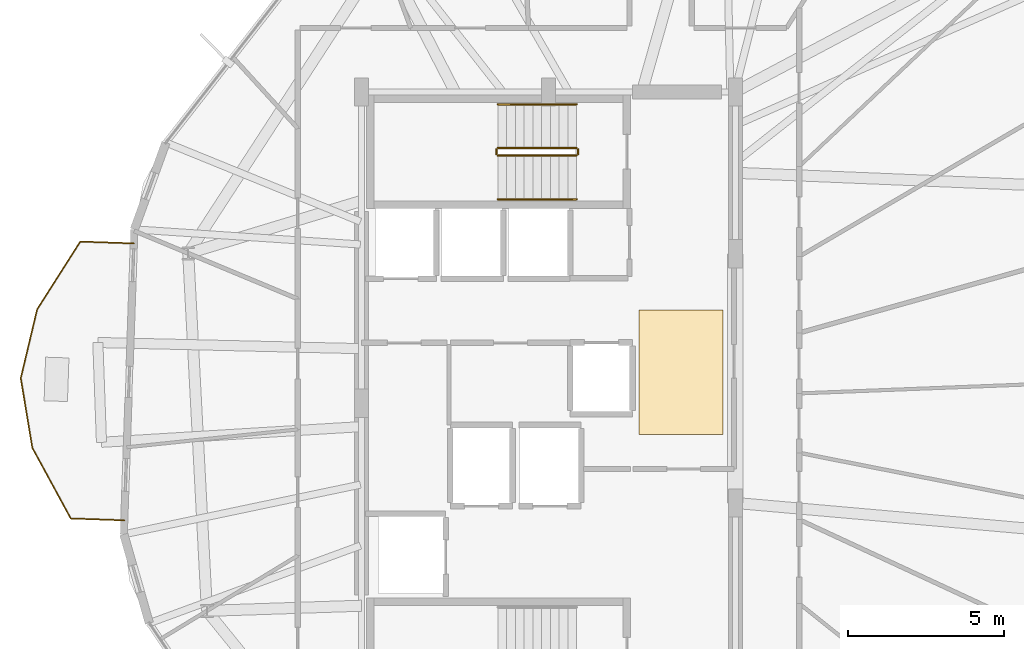
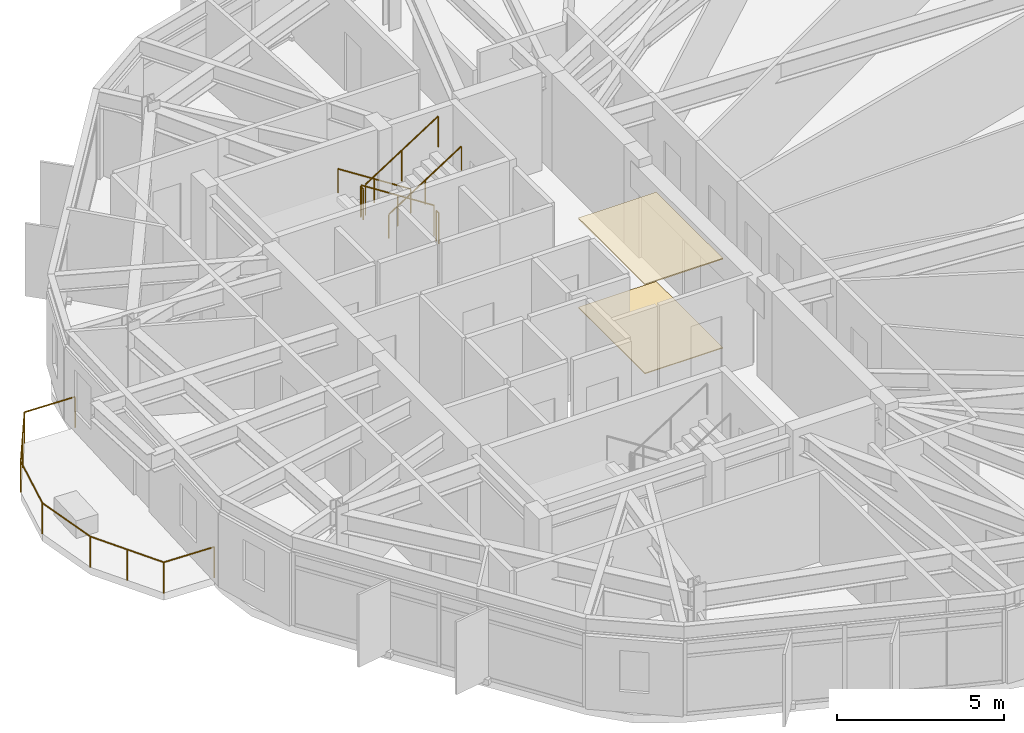
# One storey, part 29 of 30: 7 railings, 2 coverings.
"""IFC4 building model written with IfcOpenShell, lengths in metres."""

from ifc_helpers import new_model, si_unit, direction, frame, origin, origin_2d, place, context, subcontext, project, spatial, polyline, circle, outline, extrude, material, layer, layer_set, type_object, element, save


model = new_model("IFC4")

# Units and contexts
model_context = context("Model", 3, precision=1e-05, world=origin(), true_north=direction((0.0, 1.0)))
body_context = subcontext(model_context, "Body", "Model", "MODEL_VIEW")
ifc_project = project(units=[si_unit("LENGTHUNIT", "METRE"), si_unit("AREAUNIT", "SQUARE_METRE"), si_unit("VOLUMEUNIT", "CUBIC_METRE"), si_unit("PLANEANGLEUNIT", "RADIAN"), si_unit("MASSUNIT", "GRAM", prefix="KILO")], contexts=[model_context])

# Site, building, storey
site_placement = place(None, origin())
site = spatial("IfcSite", under=ifc_project, at=site_placement, CompositionType="ELEMENT")
building_placement = place(site_placement, origin())
building = spatial("IfcBuilding", under=site, at=building_placement, Name="Soratama Intermodal Tower", CompositionType="ELEMENT")
storey_placement = place(building_placement, frame((0.0, 0.0, 223.0)))
storey = spatial("IfcBuildingStorey", under=building, at=storey_placement, Name="L56", CompositionType="ELEMENT", Elevation=223.0)

# Coverings
ifc_material_1 = material(Name="Perforated mineral acoustic ceiling", Category="concrete")
ifc_layer_1 = layer(ifc_material_1, 0.0400390625)
ifc_layer_set_1 = layer_set([ifc_layer_1], Name="Perforated mineral acoustic ceiling")
covering_type_1 = type_object("IfcCoveringType", Name="CV-CEIL-ACOUSTIC", PredefinedType="CEILING", material=ifc_layer_set_1)
covering_1_placement = place(storey_placement, frame((0.0, 0.0, 3.260009765625)))
element("IfcCovering", 1, at=covering_1_placement, inside=storey, type_object=covering_type_1, Name="L56 Acoustic Ceiling", PredefinedType="CEILING", context=body_context, shape_type="SweptSolid", body=[
    extrude(outline(polyline([(41.5, 24.0), (44.199951171875, 24.0), (44.199951171875, 28.0), (41.5, 28.0), (41.5, 24.0)])), origin(), (0.0, 0.0, 1.0), 0.0400390625),
])
ifc_material_2 = material(Name="Polished Andean stone terrazzo flooring", Category="masonry")
ifc_layer_2 = layer(ifc_material_2, 0.030029296875)
ifc_layer_set_2 = layer_set([ifc_layer_2], Name="Polished Andean stone terrazzo flooring")
covering_type_2 = type_object("IfcCoveringType", Name="CV-FLOR-TERRAZZO", PredefinedType="FLOORING", material=ifc_layer_set_2)
covering_2_placement = place(storey_placement, origin())
element("IfcCovering", 2, at=covering_2_placement, inside=storey, type_object=covering_type_2, Name="L56 Lobby Terrazzo Flooring", PredefinedType="FLOORING", context=body_context, shape_type="SweptSolid", body=[
    extrude(outline(polyline([(41.5, 24.0), (44.199951171875, 24.0), (44.199951171875, 28.0), (41.5, 28.0), (41.5, 24.0)])), origin(), (0.0, 0.0, 1.0), 0.030029296875),
])

# Railings
ifc_material_3 = material(Name="Laminated glass and stainless steel balustrade", Category="steel")
railing_type_1 = type_object("IfcRailingType", Name="RL-BAL-1150", PredefinedType="BALUSTRADE", material=ifc_material_3)
railing_1_placement = place(storey_placement, frame((24.98095703125, 21.240478515625, 0.0)))
element("IfcRailing", 3, at=railing_1_placement, inside=storey, type_object=railing_type_1, Name="L56 Balcony Balustrade 2", PredefinedType="BALUSTRADE", context=body_context, shape_type="SweptSolid", body=[
    extrude(circle(Radius=0.02392578125, at=origin_2d()), frame((0.0, 0.0, 1.1259765625), z_axis=(-0.999399914295, 0.034638292484, 0.0), x_axis=(-0.034638292484, -0.999399914295, 0.0)), (0.0, 0.0, 1.0), 1.7197265625),
    extrude(circle(Radius=0.02392578125, at=origin_2d()), frame((-1.71875, 0.0595703125, 1.1259765625), z_axis=(-0.47769897287, 0.878523586091, 0.0), x_axis=(-0.878523586091, -0.47769897287, 0.0)), (0.0, 0.0, 1.0), 2.58203125),
    extrude(circle(Radius=0.02392578125, at=origin_2d()), frame((-2.9521484375, 2.327880859375, 1.1259765625), z_axis=(-0.163962807137, 0.986466521417, 0.0), x_axis=(-0.986466521417, -0.163962807137, 0.0)), (0.0, 0.0, 1.0), 2.269287109375),
    extrude(circle(Radius=0.02392578125, at=origin_2d()), frame((-3.32421875, 4.56640625, 1.1259765625), z_axis=(0.231712632919, 0.97278428017, 0.0), x_axis=(-0.97278428017, 0.231712632919, 0.0)), (0.0, 0.0, 1.0), 2.26953125),
    extrude(circle(Radius=0.02392578125, at=origin_2d()), frame((-2.79833984375, 6.774169921875, 1.1259765625), z_axis=(0.537187498904, 0.843462856931, 0.0), x_axis=(-0.843462856931, 0.537187498904, 0.0)), (0.0, 0.0, 1.0), 2.581787109375),
    extrude(circle(Radius=0.02392578125, at=origin_2d()), frame((-1.411376953125, 8.951904296875, 1.1259765625), z_axis=(0.999404987469, -0.034491608004, 0.0), x_axis=(0.034491608004, 0.999404987469, 0.0)), (0.0, 0.0, 1.0), 1.719970703125),
    extrude(circle(Radius=0.02099609375, at=origin_2d()), origin(), (0.0, 0.0, 1.0), 1.101806640625),
    extrude(circle(Radius=0.02099609375, at=origin_2d()), frame((-1.71875, 0.0595703125, 0.0)), (0.0, 0.0, 1.0), 1.101806640625),
    extrude(circle(Radius=0.02099609375, at=origin_2d()), frame((-2.33544921875, 1.19384765625, 0.0)), (0.0, 0.0, 1.0), 1.101806640625),
    extrude(circle(Radius=0.02099609375, at=origin_2d()), frame((-2.9521484375, 2.327880859375, 0.0)), (0.0, 0.0, 1.0), 1.101806640625),
    extrude(circle(Radius=0.02099609375, at=origin_2d()), frame((-3.32421875, 4.56640625, 0.0)), (0.0, 0.0, 1.0), 1.101806640625),
    extrude(circle(Radius=0.02099609375, at=origin_2d()), frame((-2.79833984375, 6.774169921875, 0.0)), (0.0, 0.0, 1.0), 1.101806640625),
    extrude(circle(Radius=0.02099609375, at=origin_2d()), frame((-2.10498046875, 7.863037109375, 0.0)), (0.0, 0.0, 1.0), 1.101806640625),
    extrude(circle(Radius=0.02099609375, at=origin_2d()), frame((-1.411376953125, 8.951904296875, 0.0)), (0.0, 0.0, 1.0), 1.101806640625),
    extrude(circle(Radius=0.02099609375, at=origin_2d()), frame((0.3076171875, 8.892578125, 0.0)), (0.0, 0.0, 1.0), 1.101806640625),
])
ifc_material_4 = material(Name="Painted steel stair guardrail", Category="steel")
railing_type_2 = type_object("IfcRailingType", Name="RL-STAIR-GUARD", PredefinedType="GUARDRAIL", material=ifc_material_4)
railing_2_placement = place(storey_placement, frame((39.5, 33.199951171875, 0.179931640625)))
element("IfcRailing", 4, at=railing_2_placement, inside=storey, type_object=railing_type_2, Name="L56 ST-2 stair guard 1", PredefinedType="GUARDRAIL", context=body_context, shape_type="SweptSolid", body=[
    extrude(circle(Radius=0.02392578125, at=origin_2d()), frame((0.0, 0.0, 1.1259765625), z_axis=(-0.841162588446, 0.0, 0.540782303519), x_axis=(0.0, -1.0, 0.0)), (0.0, 0.0, 1.0), 2.995849609375),
    extrude(circle(Radius=0.02099609375, at=origin_2d()), origin(), (0.0, 0.0, 1.0), 1.101806640625),
    extrude(circle(Radius=0.02099609375, at=origin_2d()), frame((-1.260009765625, 0.0, 0.81005859375)), (0.0, 0.0, 1.0), 1.101806640625),
    extrude(circle(Radius=0.02099609375, at=origin_2d()), frame((-2.52001953125, 0.0, 1.6201171875)), (0.0, 0.0, 1.0), 1.101806640625),
])
railing_3_placement = place(storey_placement, frame((36.929931640625, 33.14990234375, 1.800048828125)))
element("IfcRailing", 5, at=railing_3_placement, inside=storey, type_object=railing_type_2, Name="L56 ST-2 stair guard 2", PredefinedType="GUARDRAIL", context=body_context, shape_type="SweptSolid", body=[
    extrude(circle(Radius=0.02392578125, at=origin_2d()), frame((0.0, 0.0, 1.1259765625), z_axis=(0.0, -1.0, 0.0), x_axis=(1.0, 0.0, 0.0)), (0.0, 0.0, 1.0), 0.14990234375),
    extrude(circle(Radius=0.02099609375, at=origin_2d()), origin(), (0.0, 0.0, 1.0), 1.101806640625),
    extrude(circle(Radius=0.02099609375, at=origin_2d()), frame((0.0, -0.14990234375, 0.0)), (0.0, 0.0, 1.0), 1.101806640625),
])
railing_4_placement = place(storey_placement, frame((36.97998046875, 32.949951171875, 1.97998046875)))
element("IfcRailing", 6, at=railing_4_placement, inside=storey, type_object=railing_type_2, Name="L56 ST-2 stair guard 3", PredefinedType="GUARDRAIL", context=body_context, shape_type="SweptSolid", body=[
    extrude(circle(Radius=0.02392578125, at=origin_2d()), frame((0.0, 0.0, 1.1259765625), z_axis=(0.841162588446, 0.0, 0.540782303519), x_axis=(0.0, 1.0, 0.0)), (0.0, 0.0, 1.0), 2.995849609375),
    extrude(circle(Radius=0.02099609375, at=origin_2d()), origin(), (0.0, 0.0, 1.0), 1.101806640625),
    extrude(circle(Radius=0.02099609375, at=origin_2d()), frame((1.260009765625, 0.0, 0.81005859375)), (0.0, 0.0, 1.0), 1.101806640625),
    extrude(circle(Radius=0.02099609375, at=origin_2d()), frame((2.52001953125, 0.0, 1.6201171875)), (0.0, 0.0, 1.0), 1.101806640625),
])
railing_5_placement = place(storey_placement, frame((39.550048828125, 33.14990234375, 0.0)))
element("IfcRailing", 7, at=railing_5_placement, inside=storey, type_object=railing_type_2, Name="L56 ST-2 stair guard 4", PredefinedType="GUARDRAIL", context=body_context, shape_type="SweptSolid", body=[
    extrude(circle(Radius=0.02392578125, at=origin_2d()), frame((0.0, 0.0, 1.1259765625), z_axis=(0.0, -1.0, 0.0), x_axis=(1.0, 0.0, 0.0)), (0.0, 0.0, 1.0), 0.14990234375),
    extrude(circle(Radius=0.02099609375, at=origin_2d()), origin(), (0.0, 0.0, 1.0), 1.101806640625),
    extrude(circle(Radius=0.02099609375, at=origin_2d()), frame((0.0, -0.14990234375, 0.0)), (0.0, 0.0, 1.0), 1.101806640625),
])
ifc_material_5 = material(Name="Brushed stainless steel handrail", Category="steel")
railing_type_3 = type_object("IfcRailingType", Name="RL-STAIR-HAND", PredefinedType="HANDRAIL", material=ifc_material_5)
railing_6_placement = place(storey_placement, frame((39.5, 34.60009765625, 0.179931640625)))
element("IfcRailing", 8, at=railing_6_placement, inside=storey, type_object=railing_type_3, Name="L56 ST-2 stair handrail 1", PredefinedType="HANDRAIL", context=body_context, shape_type="SweptSolid", body=[
    extrude(circle(Radius=0.02392578125, at=origin_2d()), frame((0.0, 0.0, 0.8759765625), z_axis=(-0.841162588446, 0.0, 0.540782303519), x_axis=(0.0, -1.0, 0.0)), (0.0, 0.0, 1.0), 2.995849609375),
    extrude(circle(Radius=0.02099609375, at=origin_2d()), origin(), (0.0, 0.0, 1.0), 0.851806640625),
    extrude(circle(Radius=0.02099609375, at=origin_2d()), frame((-1.260009765625, 0.0, 0.81005859375)), (0.0, 0.0, 1.0), 0.851806640625),
    extrude(circle(Radius=0.02099609375, at=origin_2d()), frame((-2.52001953125, 0.0, 1.6201171875)), (0.0, 0.0, 1.0), 0.851806640625),
])
railing_7_placement = place(storey_placement, frame((36.97998046875, 31.550048828125, 1.97998046875)))
element("IfcRailing", 9, at=railing_7_placement, inside=storey, type_object=railing_type_3, Name="L56 ST-2 stair handrail 2", PredefinedType="HANDRAIL", context=body_context, shape_type="SweptSolid", body=[
    extrude(circle(Radius=0.02392578125, at=origin_2d()), frame((0.0, 0.0, 0.8759765625), z_axis=(0.841162588446, 0.0, 0.540782303519), x_axis=(0.0, 1.0, 0.0)), (0.0, 0.0, 1.0), 2.995849609375),
    extrude(circle(Radius=0.02099609375, at=origin_2d()), origin(), (0.0, 0.0, 1.0), 0.851806640625),
    extrude(circle(Radius=0.02099609375, at=origin_2d()), frame((1.260009765625, 0.0, 0.81005859375)), (0.0, 0.0, 1.0), 0.851806640625),
    extrude(circle(Radius=0.02099609375, at=origin_2d()), frame((2.52001953125, 0.0, 1.6201171875)), (0.0, 0.0, 1.0), 0.851806640625),
])

save(model, "model.ifc")
